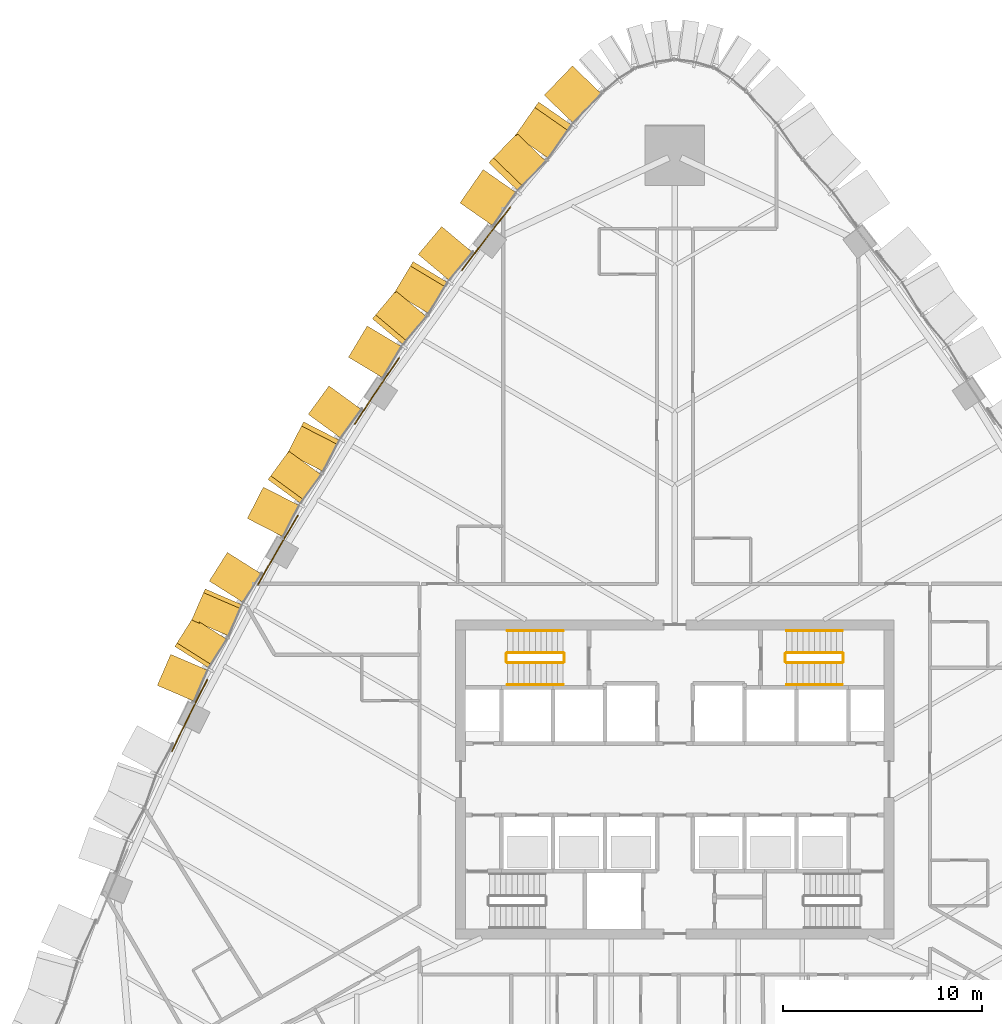
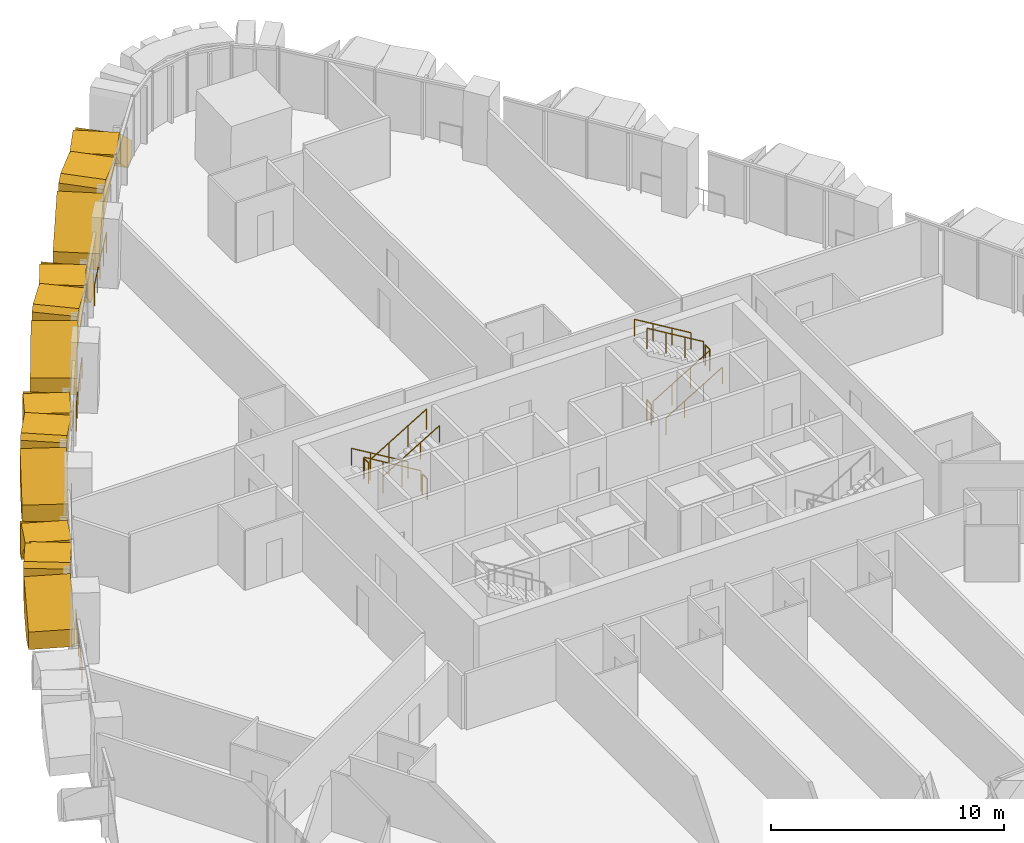
# One storey, part 21 of 23: 16 coverings, 16 railings.
"""IFC4 building model written with IfcOpenShell, lengths in metres."""

from ifc_helpers import new_model, si_unit, direction, frame, origin, origin_2d, place, context, subcontext, project, spatial, polyline, circle, outline, extrude, material, layer, layer_set, type_object, element, save


model = new_model("IFC4")

# Units and contexts
model_context = context("Model", 3, precision=1e-05, world=origin(), true_north=direction((0.0, 1.0)))
body_context = subcontext(model_context, "Body", "Model", "MODEL_VIEW")
ifc_project = project(units=[si_unit("LENGTHUNIT", "METRE"), si_unit("AREAUNIT", "SQUARE_METRE"), si_unit("VOLUMEUNIT", "CUBIC_METRE"), si_unit("PLANEANGLEUNIT", "RADIAN"), si_unit("MASSUNIT", "GRAM", prefix="KILO")], contexts=[model_context])

# Site, building, storey
site_placement = place(None, origin())
site = spatial("IfcSite", under=ifc_project, at=site_placement, CompositionType="ELEMENT")
building_placement = place(site_placement, origin())
building = spatial("IfcBuilding", under=site, at=building_placement, Name="Sierra Prisma Convention Tower", CompositionType="ELEMENT")
storey_placement = place(building_placement, frame((0.0, 0.0, 51.699951171875)))
storey = spatial("IfcBuildingStorey", under=building, at=storey_placement, Name="L08", CompositionType="ELEMENT", Elevation=51.699951171875)

# Coverings
ifc_material_1 = material(Name="Aluminium 6063-T6 bronze anodised", Category="aluminium")
ifc_layer = layer(ifc_material_1, 2.0)
ifc_layer_set = layer_set([ifc_layer], Name="Bronze crystal chevron frame")
covering_type = type_object("IfcCoveringType", Name="Bronze crystal chevron frame", PredefinedType="CLADDING", material=ifc_layer_set)
covering_1_placement = place(storey_placement, frame((-5.1376953125, 35.788330078125, 0.0), z_axis=(-0.720688599704, 0.693258928723, -1.61345e-06), x_axis=(-0.693258928724, -0.720688599705, -7e-12)))
element("IfcCovering", 1, at=covering_1_placement, inside=storey, type_object=covering_type, Name="CW-2 chevron frame NW1.1.1", PredefinedType="CLADDING", context=body_context, shape_type="SweptSolid", body=[
    extrude(outline(polyline([(0.0, 0.0), (0.8631572720581862, -1.0587911840678754e-22), (2.0383217734004386, 1.0048828125161844), (2.038321773388914, 2.5839843750141296), (-6.136566108719775e-12, 0.8408203124989058), (0.0, 0.0)])), origin(), (0.0, 0.0, -1.0), 2.0),
])
covering_2_placement = place(storey_placement, frame((-6.83203125, 33.976806640625, 2.695068359375), z_axis=(-0.820317724521, 0.571908061297, -1.6129192e-05), x_axis=(1.3231062e-05, -9.224415e-06, -0.99999999987)))
element("IfcCovering", 2, at=covering_2_placement, inside=storey, type_object=covering_type, Name="CW-2 chevron frame NW1.1.2", PredefinedType="CLADDING", context=body_context, shape_type="SweptSolid", body=[
    extrude(outline(polyline([(0.0, 0.0), (1.5788574216696294, 1.3373442553451075e-21), (-0.16406250005277964, 2.038383078374931), (-0.28491210941206, 2.038383078374931), (-0.2849121098542402, 0.3333535272251256), (0.0, 0.0)])), origin(), (0.0, 0.0, -1.0), 2.0),
])
covering_3_placement = place(storey_placement, frame((-7.9189453125, 32.40087890625, 2.97998046875), z_axis=(-0.720742149894, 0.693203254532, -3.5665969e-05), x_axis=(2.5705967e-05, -2.4723766e-05, -0.999999999364)))
element("IfcCovering", 3, at=covering_3_placement, inside=storey, type_object=covering_type, Name="CW-2 chevron frame NW1.2.1", PredefinedType="CLADDING", context=body_context, shape_type="SweptSolid", body=[
    extrude(outline(polyline([(0.0, 0.0), (0.12084960929813594, 4.094544032137487e-22), (1.863769530427011, 2.0384977296400035), (0.2849121095562129, 2.0384977296400035), (-2.1621315757949073e-09, 1.7052505237924982), (0.0, 0.0)])), origin(), (0.0, 0.0, -1.0), 2.0),
])
covering_4_placement = place(storey_placement, frame((-10.779052734375, 28.9169921875, 0.0), z_axis=(-0.820313022111, 0.57191480625, -1.2105789e-05), x_axis=(-9.930537e-06, 6.92348e-06, 0.999999999927)))
element("IfcCovering", 4, at=covering_4_placement, inside=storey, type_object=covering_type, Name="CW-2 chevron frame NW1.2.2", PredefinedType="CLADDING", context=body_context, shape_type="SweptSolid", body=[
    extrude(outline(polyline([(0.0, 0.0), (0.8408203124383888, -7.122025074081568e-22), (2.5839843749579243, 2.0383830783438115), (1.0048828125736329, 2.0383830783438115), (-3.546398705757181e-10, 0.8631151129442135), (0.0, 0.0)])), origin(), (0.0, 0.0, -1.0), 2.0),
])
covering_5_placement = place(storey_placement, frame((-11.69677734375, 27.7314453125, 0.0), z_axis=(-0.765895052119, 0.642965601711, -6.4472257e-05), x_axis=(-0.642965603046, -0.765895053711, -1.2978e-08)))
element("IfcCovering", 5, at=covering_5_placement, inside=storey, type_object=covering_type, Name="CW-2 chevron frame NW2.1.1", PredefinedType="CLADDING", context=body_context, shape_type="SweptSolid", body=[
    extrude(outline(polyline([(0.0, 0.0), (0.8123949992250799, -3.3881317890172014e-21), (1.8278512206820081, 0.961914088220189), (1.8278511992291495, 2.6149902566595413), (-1.146306932814218e-08, 0.883300779414204), (0.0, 0.0)])), origin(), (0.0, 0.0, -1.0), 2.0),
])
covering_6_placement = place(storey_placement, frame((-13.129638671875, 25.970458984375, 2.738037109375), z_axis=(-0.856999126673, 0.515317859511, -2.3455179e-05), x_axis=(2.0101068e-05, -1.2086872e-05, -0.999999999725)))
element("IfcCovering", 6, at=covering_6_placement, inside=storey, type_object=covering_type, Name="CW-2 chevron frame NW2.1.2", PredefinedType="CLADDING", context=body_context, shape_type="SweptSolid", body=[
    extrude(outline(polyline([(0.0, 0.0), (1.6528320307953512, -2.8000063734919987e-21), (-0.07861328136147966, 1.827783862497291), (-0.24194335944155204, 1.827783862497291), (-0.24194336044070527, 0.25528016212484356), (0.0, 0.0)])), origin(), (0.0, 0.0, -1.0), 2.0),
])
covering_7_placement = place(storey_placement, frame((-13.999267578125, 24.505126953125, 2.97998046875), z_axis=(-0.765869445258, 0.642996104837, -4.4556674e-05), x_axis=(3.4124595e-05, -2.8649768e-05, -0.999999999007)))
element("IfcCovering", 7, at=covering_7_placement, inside=storey, type_object=covering_type, Name="CW-2 chevron frame NW2.2.1", PredefinedType="CLADDING", context=body_context, shape_type="SweptSolid", body=[
    extrude(outline(polyline([(0.0, 0.0), (0.16333007796287063, 5.533838297979755e-22), (1.8947753892244836, 1.8278512341855717), (0.24194335961516475, 1.8278512341855717), (-3.6056215371182174e-09, 1.5725888296104618), (0.0, 0.0)])), origin(), (0.0, 0.0, -1.0), 2.0),
])
covering_8_placement = place(storey_placement, frame((-16.3740234375, 21.177734375, 0.0), z_axis=(-0.857096221362, 0.515156352073, 1.5688969e-05), x_axis=(1.3446956e-05, -8.082272e-06, 0.999999999877)))
element("IfcCovering", 8, at=covering_8_placement, inside=storey, type_object=covering_type, Name="CW-2 chevron frame NW2.2.2", PredefinedType="CLADDING", context=body_context, shape_type="SweptSolid", body=[
    extrude(outline(polyline([(0.0, 0.0), (0.8833007811412905, 1.496369728108427e-21), (2.6149902342899374, 1.827867310387143), (0.9619140626183846, 1.827867310387143), (-6.243133309713909e-10, 0.812357522262334), (0.0, 0.0)])), origin(), (0.0, 0.0, -1.0), 2.0),
])
covering_9_placement = place(storey_placement, frame((-17.348388671875, 19.738525390625, 0.0), z_axis=(-0.807497841528, 0.589870524455, -1.7508889e-05), x_axis=(-0.589870524545, -0.807497841652, -9.89e-10)))
element("IfcCovering", 9, at=covering_9_placement, inside=storey, type_object=covering_type, Name="CW-2 chevron frame NW3.1.1", PredefinedType="CLADDING", context=body_context, shape_type="SweptSolid", body=[
    extrude(outline(polyline([(0.0, 0.0), (0.7984526468874118, -2.541098841762901e-21), (1.7681089489747257, 0.9475097675187506), (1.7681089473153417, 2.625488282886549), (-8.877571893667248e-10, 0.8977050779873993), (0.0, 0.0)])), origin(), (0.0, 0.0, -1.0), 2.0),
])
covering_10_placement = place(storey_placement, frame((-18.6240234375, 17.933349609375, 2.75244140625), z_axis=(-0.889850078047, 0.45625304116, 3.2123783e-05), x_axis=(-2.8585351e-05, 1.4656574e-05, -0.999999999484)))
element("IfcCovering", 10, at=covering_10_placement, inside=storey, type_object=covering_type, Name="CW-2 chevron frame NW3.1.2", PredefinedType="CLADDING", context=body_context, shape_type="SweptSolid", body=[
    extrude(outline(polyline([(0.0, 0.0), (1.6777343741343416, 0.0), (-0.05004882833398245, 1.7679819225254392), (-0.22753906261740306, 1.7679819225254392), (-0.2275390645318788, 0.23289863028777885), (0.0, 0.0)])), origin(), (0.0, 0.0, -1.0), 2.0),
])
covering_11_placement = place(storey_placement, frame((-19.365478515625, 16.4658203125, 2.97998046875), z_axis=(-0.807506721862, 0.589858366258, -4.3624936e-05), x_axis=(3.5227429e-05, -2.5732534e-05, -0.999999999048)))
element("IfcCovering", 11, at=covering_11_placement, inside=storey, type_object=covering_type, Name="CW-2 chevron frame NW3.2.1", PredefinedType="CLADDING", context=body_context, shape_type="SweptSolid", body=[
    extrude(outline(polyline([(0.0, 0.0), (0.17749023420610607, 0.0), (1.9052734361200414, 1.7677677958752689), (0.2275390627165188, 1.7677677958752689), (-3.530743034156896e-09, 1.5350332796209123), (0.0, 0.0)])), origin(), (0.0, 0.0, -1.0), 2.0),
])
covering_12_placement = place(storey_placement, frame((-21.447509765625, 13.087646484375, 0.0), z_axis=(-0.889852491752, 0.456248334701, 2.155098e-06), x_axis=(1.917719e-06, -9.8326e-07, 0.999999999998)))
element("IfcCovering", 12, at=covering_12_placement, inside=storey, type_object=covering_type, Name="CW-2 chevron frame NW3.2.2", PredefinedType="CLADDING", context=body_context, shape_type="SweptSolid", body=[
    extrude(outline(polyline([(0.0, 0.0), (0.8977050781229154, 9.504822226117134e-23), (2.6254882812483036, 1.7679819225393698), (0.9475097656272005, 1.7679819225393698), (-1.196262878229042e-11, 0.7983870279250275), (0.0, 0.0)])), origin(), (0.0, 0.0, -1.0), 2.0),
])
covering_13_placement = place(storey_placement, frame((-22.44775390625, 11.38232421875, 0.0), z_axis=(-0.845388205341, 0.534152396078, 5.847598e-06), x_axis=(-0.534152396087, -0.845388205356, -1.15e-10)))
element("IfcCovering", 13, at=covering_13_placement, inside=storey, type_object=covering_type, Name="CW-2 chevron frame NW4.1.1", PredefinedType="CLADDING", context=body_context, shape_type="SweptSolid", body=[
    extrude(outline(polyline([(0.0, 0.0), (0.7829224802774196, -4.235164736271502e-22), (1.6998212249352385, 0.9296875002107033), (1.6998212247394082, 2.638427734556489), (-1.0489612148735722e-10, 0.9152832031093513), (0.0, 0.0)])), origin(), (0.0, 0.0, -1.0), 2.0),
])
covering_14_placement = place(storey_placement, frame((-23.562255859375, 9.552978515625, 2.770263671875), z_axis=(-0.918578579296, 0.395238400572, 1.9278039e-05), x_axis=(-1.7708393e-05, 7.619421e-06, -0.999999999814)))
element("IfcCovering", 14, at=covering_14_placement, inside=storey, type_object=covering_type, Name="CW-2 chevron frame NW4.1.2", PredefinedType="CLADDING", context=body_context, shape_type="SweptSolid", body=[
    extrude(outline(polyline([(0.0, 0.0), (1.7087402340574795, 0.0), (-0.01464843757521774, 1.6999327814565113), (-0.20971679691396988, 1.6999327814565113), (-0.20971679762150658, 0.20702577578634168), (0.0, 0.0)])), origin(), (0.0, 0.0, -1.0), 2.0),
])
covering_15_placement = place(storey_placement, frame((-24.17626953125, 8.101318359375, 2.97998046875), z_axis=(-0.845496840203, 0.533980423725, 1.6877071e-05), x_axis=(-1.426951e-05, 9.012025e-06, -0.999999999858)))
element("IfcCovering", 15, at=covering_15_placement, inside=storey, type_object=covering_type, Name="CW-2 chevron frame NW4.2.1", PredefinedType="CLADDING", context=body_context, shape_type="SweptSolid", body=[
    extrude(outline(polyline([(0.0, 0.0), (0.1950683593472188, 0.0), (1.9184570310365126, 1.6998972447943228), (0.20971679690486741, 1.6998972447943228), (-5.422723009748009e-10, 1.4928380732870175), (0.0, 0.0)])), origin(), (0.0, 0.0, -1.0), 2.0),
])
covering_16_placement = place(storey_placement, frame((-25.96240234375, 4.710205078125, 0.0), z_axis=(-0.918588606589, 0.395215093434, 4.2045097e-05), x_axis=(3.8622148e-05, -1.6616857e-05, 0.999999999116)))
element("IfcCovering", 16, at=covering_16_placement, inside=storey, type_object=covering_type, Name="CW-2 chevron frame NW4.2.2", PredefinedType="CLADDING", context=body_context, shape_type="SweptSolid", body=[
    extrude(outline(polyline([(0.0, 0.0), (0.9152832023159857, 3.1011001164613008e-21), (2.6384277336863993, 1.6999327810119087), (0.9296875008217462, 1.6999327810119087), (-4.63872297242473e-09, 0.782934463189722), (0.0, 0.0)])), origin(), (0.0, 0.0, -1.0), 2.0),
])

# Railings
ifc_material_2 = material(Name="Stainless steel", Category="steel")
railing_type_1 = type_object("IfcRailingType", Name="Exit stair handrail", PredefinedType="HANDRAIL", material=ifc_material_2)
railing_1_placement = place(storey_placement, frame((-5.60009765625, 7.449951171875, 0.168212890625)))
element("IfcRailing", 17, at=railing_1_placement, inside=storey, type_object=railing_type_1, Name="L08 S3 stair handrail 1", PredefinedType="HANDRAIL", context=body_context, shape_type="SweptSolid", body=[
    extrude(circle(Radius=0.02392578125, at=origin_2d()), frame((0.0, 0.0, 0.8759765625), z_axis=(-0.857222391501, 0.0, 0.514946377315), x_axis=(0.0, -1.0, 0.0)), (0.0, 0.0, 1.0), 3.26611328125),
    extrude(circle(Radius=0.02099609375, at=origin_2d()), origin(), (0.0, 0.0, 1.0), 0.851806640625),
    extrude(circle(Radius=0.02099609375, at=origin_2d()), frame((-0.933349609375, 0.0, 0.560546875)), (0.0, 0.0, 1.0), 0.851806640625),
    extrude(circle(Radius=0.02099609375, at=origin_2d()), frame((-1.866455078125, 0.0, 1.121337890625)), (0.0, 0.0, 1.0), 0.851806640625),
    extrude(circle(Radius=0.02099609375, at=origin_2d()), frame((-2.7998046875, 0.0, 1.681884765625)), (0.0, 0.0, 1.0), 0.851806640625),
])
railing_2_placement = place(storey_placement, frame((-8.39990234375, 4.75, 2.018310546875)))
element("IfcRailing", 18, at=railing_2_placement, inside=storey, type_object=railing_type_1, Name="L08 S3 stair handrail 2", PredefinedType="HANDRAIL", context=body_context, shape_type="SweptSolid", body=[
    extrude(circle(Radius=0.02392578125, at=origin_2d()), frame((0.0, 0.0, 0.8759765625), z_axis=(0.857255387014, 0.0, 0.514891446264), x_axis=(0.0, 1.0, 0.0)), (0.0, 0.0, 1.0), 3.26611328125),
    extrude(circle(Radius=0.02099609375, at=origin_2d()), origin(), (0.0, 0.0, 1.0), 0.851806640625),
    extrude(circle(Radius=0.02099609375, at=origin_2d()), frame((0.933349609375, 0.0, 0.560546875)), (0.0, 0.0, 1.0), 0.851806640625),
    extrude(circle(Radius=0.02099609375, at=origin_2d()), frame((1.866455078125, 0.0, 1.12109375)), (0.0, 0.0, 1.0), 0.851806640625),
    extrude(circle(Radius=0.02099609375, at=origin_2d()), frame((2.7998046875, 0.0, 1.681640625)), (0.0, 0.0, 1.0), 0.851806640625),
])
railing_3_placement = place(storey_placement, frame((5.60009765625, 4.75, 0.168212890625)))
element("IfcRailing", 19, at=railing_3_placement, inside=storey, type_object=railing_type_1, Name="L08 S4 stair handrail 1", PredefinedType="HANDRAIL", context=body_context, shape_type="SweptSolid", body=[
    extrude(circle(Radius=0.02392578125, at=origin_2d()), frame((0.0, 0.0, 0.8759765625), z_axis=(0.857222391501, 0.0, 0.514946377315), x_axis=(0.0, 1.0, 0.0)), (0.0, 0.0, 1.0), 3.26611328125),
    extrude(circle(Radius=0.02099609375, at=origin_2d()), origin(), (0.0, 0.0, 1.0), 0.851806640625),
    extrude(circle(Radius=0.02099609375, at=origin_2d()), frame((0.933349609375, 0.0, 0.560546875)), (0.0, 0.0, 1.0), 0.851806640625),
    extrude(circle(Radius=0.02099609375, at=origin_2d()), frame((1.866455078125, 0.0, 1.121337890625)), (0.0, 0.0, 1.0), 0.851806640625),
    extrude(circle(Radius=0.02099609375, at=origin_2d()), frame((2.7998046875, 0.0, 1.681884765625)), (0.0, 0.0, 1.0), 0.851806640625),
])
railing_4_placement = place(storey_placement, frame((8.39990234375, 7.449951171875, 2.018310546875)))
element("IfcRailing", 20, at=railing_4_placement, inside=storey, type_object=railing_type_1, Name="L08 S4 stair handrail 2", PredefinedType="HANDRAIL", context=body_context, shape_type="SweptSolid", body=[
    extrude(circle(Radius=0.02392578125, at=origin_2d()), frame((0.0, 0.0, 0.8759765625), z_axis=(-0.857255387014, 0.0, 0.514891446264), x_axis=(0.0, -1.0, 0.0)), (0.0, 0.0, 1.0), 3.26611328125),
    extrude(circle(Radius=0.02099609375, at=origin_2d()), origin(), (0.0, 0.0, 1.0), 0.851806640625),
    extrude(circle(Radius=0.02099609375, at=origin_2d()), frame((-0.933349609375, 0.0, 0.560546875)), (0.0, 0.0, 1.0), 0.851806640625),
    extrude(circle(Radius=0.02099609375, at=origin_2d()), frame((-1.866455078125, 0.0, 1.12109375)), (0.0, 0.0, 1.0), 0.851806640625),
    extrude(circle(Radius=0.02099609375, at=origin_2d()), frame((-2.7998046875, 0.0, 1.681640625)), (0.0, 0.0, 1.0), 0.851806640625),
])
ifc_material_3 = material(Name="Bronze anodised aluminium", Category="aluminium")
railing_type_2 = type_object("IfcRailingType", Name="Facade guard 1100", PredefinedType="GUARDRAIL", material=ifc_material_3)
railing_5_placement = place(storey_placement, frame((-8.244140625, 28.70751953125, 0.0)))
element("IfcRailing", 21, at=railing_5_placement, inside=storey, type_object=railing_type_2, Name="Facade guard", PredefinedType="GUARDRAIL", context=body_context, shape_type="SweptSolid", body=[
    extrude(circle(Radius=0.02392578125, at=origin_2d()), frame((0.0, 0.0, 1.076171875), z_axis=(-0.616639155625, -0.78724592838, 0.0), x_axis=(0.78724592838, -0.616639155625, 0.0)), (0.0, 0.0, 1.0), 0.99462890625),
    extrude(circle(Radius=0.02392578125, at=origin_2d()), frame((-0.61328125, -0.782958984375, 1.076171875), z_axis=(-0.613585573708, -0.789628231345, 0.0), x_axis=(0.789628231345, -0.613585573708, 0.0)), (0.0, 0.0, 1.0), 1.0),
    extrude(circle(Radius=0.02392578125, at=origin_2d()), frame((-1.226806640625, -1.572509765625, 1.076171875), z_axis=(-0.60528862188, -0.796006083031, 0.0), x_axis=(0.796006083031, -0.60528862188, 0.0)), (0.0, 0.0, 1.0), 0.99462890625),
    extrude(circle(Radius=0.02392578125, at=origin_2d()), frame((-1.828857421875, -2.3642578125, 1.076171875), z_axis=(-0.602536027779, -0.798091683473, 0.0), x_axis=(0.798091683473, -0.602536027779, 0.0)), (0.0, 0.0, 1.0), 1.0),
    extrude(circle(Radius=0.02099609375, at=origin_2d()), origin(), (0.0, 0.0, 1.0), 1.052001953125),
    extrude(circle(Radius=0.02099609375, at=origin_2d()), frame((-0.61328125, -0.782958984375, 0.0)), (0.0, 0.0, 1.0), 1.052001953125),
    extrude(circle(Radius=0.02099609375, at=origin_2d()), frame((-1.226806640625, -1.572509765625, 0.0)), (0.0, 0.0, 1.0), 1.052001953125),
    extrude(circle(Radius=0.02099609375, at=origin_2d()), frame((-1.828857421875, -2.3642578125, 0.0)), (0.0, 0.0, 1.0), 1.052001953125),
    extrude(circle(Radius=0.02099609375, at=origin_2d()), frame((-2.431396484375, -3.162353515625, 0.0)), (0.0, 0.0, 1.0), 1.052001953125),
])
railing_6_placement = place(storey_placement, frame((-13.833740234375, 21.14111328125, 0.0)))
element("IfcRailing", 22, at=railing_6_placement, inside=storey, type_object=railing_type_2, Name="Facade guard", PredefinedType="GUARDRAIL", context=body_context, shape_type="SweptSolid", body=[
    extrude(circle(Radius=0.02392578125, at=origin_2d()), frame((0.0, 0.0, 1.076171875), z_axis=(-0.564798302746, -0.825228984716, 0.0), x_axis=(0.825228984716, -0.564798302746, 0.0)), (0.0, 0.0, 1.0), 0.99462890625),
    extrude(circle(Radius=0.02392578125, at=origin_2d()), frame((-0.561767578125, -0.82080078125, 1.076171875), z_axis=(-0.55880601632, -0.829298399929, 0.0), x_axis=(0.829298399929, -0.55880601632, 0.0)), (0.0, 0.0, 1.0), 1.0),
    extrude(circle(Radius=0.02392578125, at=origin_2d()), frame((-1.12060546875, -1.650146484375, 1.076171875), z_axis=(-0.553056317422, -0.833143870985, 0.0), x_axis=(0.833143870985, -0.553056317422, 0.0)), (0.0, 0.0, 1.0), 0.99462890625),
    extrude(circle(Radius=0.02392578125, at=origin_2d()), frame((-1.670654296875, -2.478759765625, 1.076171875), z_axis=(-0.547354603102, -0.836900793681, 0.0), x_axis=(0.836900793681, -0.547354603102, 0.0)), (0.0, 0.0, 1.0), 1.0),
    extrude(circle(Radius=0.02099609375, at=origin_2d()), origin(), (0.0, 0.0, 1.0), 1.052001953125),
    extrude(circle(Radius=0.02099609375, at=origin_2d()), frame((-0.561767578125, -0.82080078125, 0.0)), (0.0, 0.0, 1.0), 1.052001953125),
    extrude(circle(Radius=0.02099609375, at=origin_2d()), frame((-1.12060546875, -1.650146484375, 0.0)), (0.0, 0.0, 1.0), 1.052001953125),
    extrude(circle(Radius=0.02099609375, at=origin_2d()), frame((-1.670654296875, -2.478759765625, 0.0)), (0.0, 0.0, 1.0), 1.052001953125),
    extrude(circle(Radius=0.02099609375, at=origin_2d()), frame((-2.218017578125, -3.315673828125, 0.0)), (0.0, 0.0, 1.0), 1.052001953125),
])
railing_7_placement = place(storey_placement, frame((-18.913818359375, 13.223388671875, 0.0)))
element("IfcRailing", 23, at=railing_7_placement, inside=storey, type_object=railing_type_2, Name="Facade guard", PredefinedType="GUARDRAIL", context=body_context, shape_type="SweptSolid", body=[
    extrude(circle(Radius=0.02392578125, at=origin_2d()), frame((0.0, 0.0, 1.076171875), z_axis=(-0.510663542979, -0.859780638228, 0.0), x_axis=(0.859780638228, -0.510663542979, 0.0)), (0.0, 0.0, 1.0), 0.994384765625),
    extrude(circle(Radius=0.02392578125, at=origin_2d()), frame((-0.5078125, -0.85498046875, 1.076171875), z_axis=(-0.501440395817, -0.865192192199, 0.0), x_axis=(0.865192192199, -0.501440395817, 0.0)), (0.0, 0.0, 1.0), 1.0),
    extrude(circle(Radius=0.02392578125, at=origin_2d()), frame((-1.00927734375, -1.72021484375, 1.076171875), z_axis=(-0.49830508529, -0.867001754308, 0.0), x_axis=(0.867001754308, -0.49830508529, 0.0)), (0.0, 0.0, 1.0), 0.99462890625),
    extrude(circle(Radius=0.02392578125, at=origin_2d()), frame((-1.5048828125, -2.58251953125, 1.076171875), z_axis=(-0.489762718952, -0.871855767386, 0.0), x_axis=(0.871855767386, -0.489762718952, 0.0)), (0.0, 0.0, 1.0), 1.0),
    extrude(circle(Radius=0.02099609375, at=origin_2d()), origin(), (0.0, 0.0, 1.0), 1.052001953125),
    extrude(circle(Radius=0.02099609375, at=origin_2d()), frame((-0.5078125, -0.85498046875, 0.0)), (0.0, 0.0, 1.0), 1.052001953125),
    extrude(circle(Radius=0.02099609375, at=origin_2d()), frame((-1.00927734375, -1.72021484375, 0.0)), (0.0, 0.0, 1.0), 1.052001953125),
    extrude(circle(Radius=0.02099609375, at=origin_2d()), frame((-1.5048828125, -2.58251953125, 0.0)), (0.0, 0.0, 1.0), 1.052001953125),
    extrude(circle(Radius=0.02099609375, at=origin_2d()), frame((-1.99462890625, -3.454345703125, 0.0)), (0.0, 0.0, 1.0), 1.052001953125),
])
railing_8_placement = place(storey_placement, frame((-23.4619140625, 4.98876953125, 0.0)))
element("IfcRailing", 24, at=railing_8_placement, inside=storey, type_object=railing_type_2, Name="Facade guard", PredefinedType="GUARDRAIL", context=body_context, shape_type="SweptSolid", body=[
    extrude(circle(Radius=0.02392578125, at=origin_2d()), frame((0.0, 0.0, 1.076171875), z_axis=(-0.454050378411, -0.890976011947, 0.0), x_axis=(0.890976011947, -0.454050378411, 0.0)), (0.0, 0.0, 1.0), 0.998046875),
    extrude(circle(Radius=0.02392578125, at=origin_2d()), frame((-0.453125, -0.88916015625, 1.076171875), z_axis=(-0.442208796959, -0.896912136105, 0.0), x_axis=(0.896912136105, -0.442208796959, 0.0)), (0.0, 0.0, 1.0), 0.99658203125),
    extrude(circle(Radius=0.02392578125, at=origin_2d()), frame((-0.893798828125, -1.782958984375, 1.076171875), z_axis=(-0.441617258618, -0.89720354262, 0.0), x_axis=(0.89720354262, -0.441617258618, 0.0)), (0.0, 0.0, 1.0), 0.99609375),
    extrude(circle(Radius=0.02392578125, at=origin_2d()), frame((-1.333740234375, -2.6767578125, 1.076171875), z_axis=(-0.429620334844, -0.90300961672, 0.0), x_axis=(0.90300961672, -0.429620334844, 0.0)), (0.0, 0.0, 1.0), 0.99853515625),
    extrude(circle(Radius=0.02099609375, at=origin_2d()), origin(), (0.0, 0.0, 1.0), 1.052001953125),
    extrude(circle(Radius=0.02099609375, at=origin_2d()), frame((-0.453125, -0.88916015625, 0.0)), (0.0, 0.0, 1.0), 1.052001953125),
    extrude(circle(Radius=0.02099609375, at=origin_2d()), frame((-0.893798828125, -1.782958984375, 0.0)), (0.0, 0.0, 1.0), 1.052001953125),
    extrude(circle(Radius=0.02099609375, at=origin_2d()), frame((-1.333740234375, -2.6767578125, 0.0)), (0.0, 0.0, 1.0), 1.052001953125),
    extrude(circle(Radius=0.02099609375, at=origin_2d()), frame((-1.7626953125, -3.578369140625, 0.0)), (0.0, 0.0, 1.0), 1.052001953125),
])
ifc_material_4 = material(Name="Stainless steel", Category="steel")
railing_type_3 = type_object("IfcRailingType", Name="Stair guard 1100", PredefinedType="GUARDRAIL", material=ifc_material_4)
railing_9_placement = place(storey_placement, frame((-5.60009765625, 6.35009765625, 0.168212890625)))
element("IfcRailing", 25, at=railing_9_placement, inside=storey, type_object=railing_type_3, Name="L08 S3 stair guard 1", PredefinedType="GUARDRAIL", context=body_context, shape_type="SweptSolid", body=[
    extrude(circle(Radius=0.02392578125, at=origin_2d()), frame((0.0, 0.0, 1.076171875), z_axis=(-0.857222391501, 0.0, 0.514946377315), x_axis=(0.0, -1.0, 0.0)), (0.0, 0.0, 1.0), 3.26611328125),
    extrude(circle(Radius=0.02099609375, at=origin_2d()), origin(), (0.0, 0.0, 1.0), 1.052001953125),
    extrude(circle(Radius=0.02099609375, at=origin_2d()), frame((-0.933349609375, 0.0, 0.560546875)), (0.0, 0.0, 1.0), 1.052001953125),
    extrude(circle(Radius=0.02099609375, at=origin_2d()), frame((-1.866455078125, 0.0, 1.121337890625)), (0.0, 0.0, 1.0), 1.052001953125),
    extrude(circle(Radius=0.02099609375, at=origin_2d()), frame((-2.7998046875, 0.0, 1.681884765625)), (0.0, 0.0, 1.0), 1.052001953125),
])
railing_10_placement = place(storey_placement, frame((-8.449951171875, 6.300048828125, 1.85009765625)))
element("IfcRailing", 26, at=railing_10_placement, inside=storey, type_object=railing_type_3, Name="L08 S3 stair guard 2", PredefinedType="GUARDRAIL", context=body_context, shape_type="SweptSolid", body=[
    extrude(circle(Radius=0.02392578125, at=origin_2d()), frame((0.0, 0.0, 1.076171875), z_axis=(0.0, -1.0, 0.0), x_axis=(1.0, 0.0, 0.0)), (0.0, 0.0, 1.0), 0.400146484375),
    extrude(circle(Radius=0.02099609375, at=origin_2d()), origin(), (0.0, 0.0, 1.0), 1.052001953125),
    extrude(circle(Radius=0.02099609375, at=origin_2d()), frame((0.0, -0.400146484375, 0.0)), (0.0, 0.0, 1.0), 1.052001953125),
])
railing_11_placement = place(storey_placement, frame((-8.39990234375, 5.85009765625, 2.018310546875)))
element("IfcRailing", 27, at=railing_11_placement, inside=storey, type_object=railing_type_3, Name="L08 S3 stair guard 3", PredefinedType="GUARDRAIL", context=body_context, shape_type="SweptSolid", body=[
    extrude(circle(Radius=0.02392578125, at=origin_2d()), frame((0.0, 0.0, 1.076171875), z_axis=(0.857255387014, 0.0, 0.514891446264), x_axis=(0.0, 1.0, 0.0)), (0.0, 0.0, 1.0), 3.26611328125),
    extrude(circle(Radius=0.02099609375, at=origin_2d()), origin(), (0.0, 0.0, 1.0), 1.052001953125),
    extrude(circle(Radius=0.02099609375, at=origin_2d()), frame((0.933349609375, 0.0, 0.560546875)), (0.0, 0.0, 1.0), 1.052001953125),
    extrude(circle(Radius=0.02099609375, at=origin_2d()), frame((1.866455078125, 0.0, 1.12109375)), (0.0, 0.0, 1.0), 1.052001953125),
    extrude(circle(Radius=0.02099609375, at=origin_2d()), frame((2.7998046875, 0.0, 1.681640625)), (0.0, 0.0, 1.0), 1.052001953125),
])
railing_12_placement = place(storey_placement, frame((-5.550048828125, 6.300048828125, 0.0)))
element("IfcRailing", 28, at=railing_12_placement, inside=storey, type_object=railing_type_3, Name="L08 S3 stair guard 4", PredefinedType="GUARDRAIL", context=body_context, shape_type="SweptSolid", body=[
    extrude(circle(Radius=0.02392578125, at=origin_2d()), frame((0.0, 0.0, 1.076171875), z_axis=(0.0, -1.0, 0.0), x_axis=(1.0, 0.0, 0.0)), (0.0, 0.0, 1.0), 0.400146484375),
    extrude(circle(Radius=0.02099609375, at=origin_2d()), origin(), (0.0, 0.0, 1.0), 1.052001953125),
    extrude(circle(Radius=0.02099609375, at=origin_2d()), frame((0.0, -0.400146484375, 0.0)), (0.0, 0.0, 1.0), 1.052001953125),
])
railing_13_placement = place(storey_placement, frame((5.60009765625, 5.85009765625, 0.168212890625)))
element("IfcRailing", 29, at=railing_13_placement, inside=storey, type_object=railing_type_3, Name="L08 S4 stair guard 1", PredefinedType="GUARDRAIL", context=body_context, shape_type="SweptSolid", body=[
    extrude(circle(Radius=0.02392578125, at=origin_2d()), frame((0.0, 0.0, 1.076171875), z_axis=(0.857222391501, 0.0, 0.514946377315), x_axis=(0.0, 1.0, 0.0)), (0.0, 0.0, 1.0), 3.26611328125),
    extrude(circle(Radius=0.02099609375, at=origin_2d()), origin(), (0.0, 0.0, 1.0), 1.052001953125),
    extrude(circle(Radius=0.02099609375, at=origin_2d()), frame((0.933349609375, 0.0, 0.560546875)), (0.0, 0.0, 1.0), 1.052001953125),
    extrude(circle(Radius=0.02099609375, at=origin_2d()), frame((1.866455078125, 0.0, 1.121337890625)), (0.0, 0.0, 1.0), 1.052001953125),
    extrude(circle(Radius=0.02099609375, at=origin_2d()), frame((2.7998046875, 0.0, 1.681884765625)), (0.0, 0.0, 1.0), 1.052001953125),
])
railing_14_placement = place(storey_placement, frame((8.449951171875, 5.89990234375, 1.85009765625)))
element("IfcRailing", 30, at=railing_14_placement, inside=storey, type_object=railing_type_3, Name="L08 S4 stair guard 2", PredefinedType="GUARDRAIL", context=body_context, shape_type="SweptSolid", body=[
    extrude(circle(Radius=0.02392578125, at=origin_2d()), frame((0.0, 0.0, 1.076171875), z_axis=(0.0, 1.0, 0.0), x_axis=(-1.0, 0.0, 0.0)), (0.0, 0.0, 1.0), 0.400146484375),
    extrude(circle(Radius=0.02099609375, at=origin_2d()), origin(), (0.0, 0.0, 1.0), 1.052001953125),
    extrude(circle(Radius=0.02099609375, at=origin_2d()), frame((0.0, 0.400146484375, 0.0)), (0.0, 0.0, 1.0), 1.052001953125),
])
railing_15_placement = place(storey_placement, frame((8.39990234375, 6.35009765625, 2.018310546875)))
element("IfcRailing", 31, at=railing_15_placement, inside=storey, type_object=railing_type_3, Name="L08 S4 stair guard 3", PredefinedType="GUARDRAIL", context=body_context, shape_type="SweptSolid", body=[
    extrude(circle(Radius=0.02392578125, at=origin_2d()), frame((0.0, 0.0, 1.076171875), z_axis=(-0.857255387014, 0.0, 0.514891446264), x_axis=(0.0, -1.0, 0.0)), (0.0, 0.0, 1.0), 3.26611328125),
    extrude(circle(Radius=0.02099609375, at=origin_2d()), origin(), (0.0, 0.0, 1.0), 1.052001953125),
    extrude(circle(Radius=0.02099609375, at=origin_2d()), frame((-0.933349609375, 0.0, 0.560546875)), (0.0, 0.0, 1.0), 1.052001953125),
    extrude(circle(Radius=0.02099609375, at=origin_2d()), frame((-1.866455078125, 0.0, 1.12109375)), (0.0, 0.0, 1.0), 1.052001953125),
    extrude(circle(Radius=0.02099609375, at=origin_2d()), frame((-2.7998046875, 0.0, 1.681640625)), (0.0, 0.0, 1.0), 1.052001953125),
])
railing_16_placement = place(storey_placement, frame((5.550048828125, 5.89990234375, 0.0)))
element("IfcRailing", 32, at=railing_16_placement, inside=storey, type_object=railing_type_3, Name="L08 S4 stair guard 4", PredefinedType="GUARDRAIL", context=body_context, shape_type="SweptSolid", body=[
    extrude(circle(Radius=0.02392578125, at=origin_2d()), frame((0.0, 0.0, 1.076171875), z_axis=(0.0, 1.0, 0.0), x_axis=(-1.0, 0.0, 0.0)), (0.0, 0.0, 1.0), 0.400146484375),
    extrude(circle(Radius=0.02099609375, at=origin_2d()), origin(), (0.0, 0.0, 1.0), 1.052001953125),
    extrude(circle(Radius=0.02099609375, at=origin_2d()), frame((0.0, 0.400146484375, 0.0)), (0.0, 0.0, 1.0), 1.052001953125),
])

save(model, "model.ifc")
